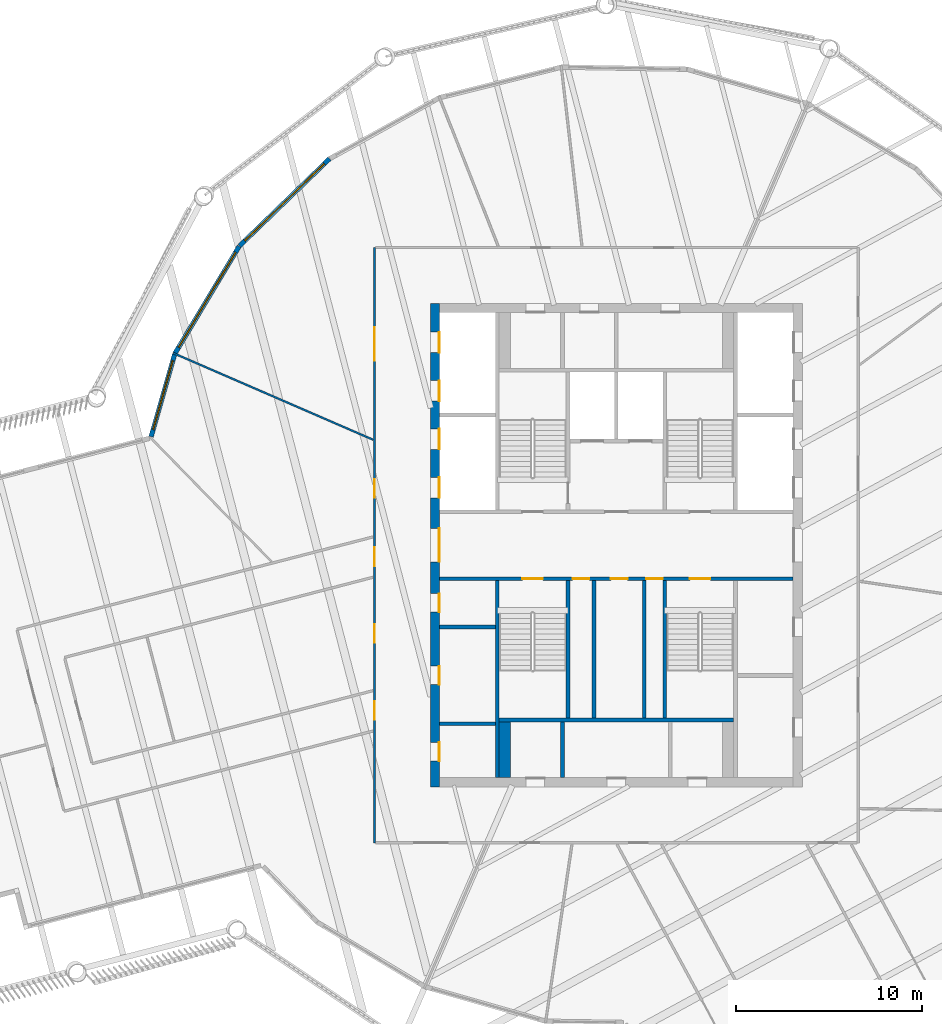
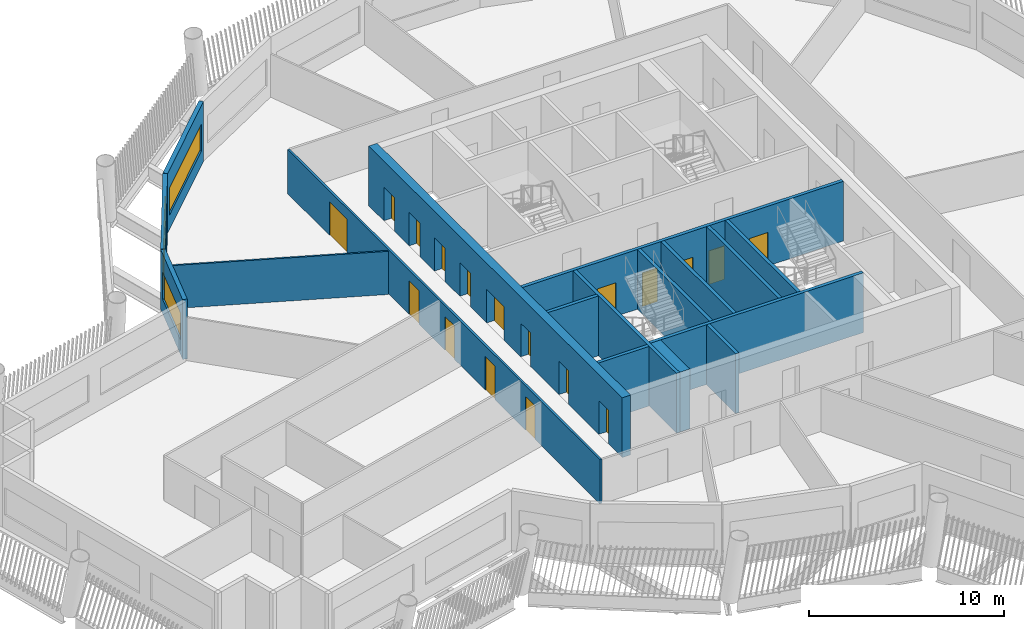
# One storey, part 4 of 14: 18 doors, 17 walls, 3 windows, 21 openings.
"""IFC4 building model written with IfcOpenShell, lengths in metres."""

from ifc_helpers import new_model, si_unit, direction, frame, frame_2d, origin, place, context, subcontext, project, spatial, rectangle, extrude, material, layer, layer_set, type_object, element, fill, save


model = new_model("IFC4")

# Units and contexts
model_context = context("Model", 3, precision=1e-05, world=origin(), true_north=direction((0.0, 1.0)))
body_context = subcontext(model_context, "Body", "Model", "MODEL_VIEW")
ifc_project = project(units=[si_unit("LENGTHUNIT", "METRE"), si_unit("AREAUNIT", "SQUARE_METRE"), si_unit("VOLUMEUNIT", "CUBIC_METRE"), si_unit("PLANEANGLEUNIT", "RADIAN"), si_unit("MASSUNIT", "GRAM", prefix="KILO")], contexts=[model_context])

# Site, building, storey
site_placement = place(None, origin())
site = spatial("IfcSite", under=ifc_project, at=site_placement, CompositionType="ELEMENT")
building_placement = place(site_placement, origin())
building = spatial("IfcBuilding", under=site, at=building_placement, Name="Tarsis Ring Headquarters", CompositionType="ELEMENT")
storey_placement = place(building_placement, frame((0.0, 0.0, 343.10009765625)))
storey = spatial("IfcBuildingStorey", under=building, at=storey_placement, Name="L81", CompositionType="ELEMENT", Elevation=343.10009765625)

# Walls
ifc_material_1 = material(Name="Blockwork", Category="masonry")
ifc_layer_1 = layer(ifc_material_1, 0.199951171875)
ifc_layer_set_1 = layer_set([ifc_layer_1], Name="Core blockwork wall 200")
wall_type_1 = type_object("IfcWallType", Name="Core blockwork wall 200", PredefinedType="PARTITIONING", material=ifc_layer_set_1)
for number, where, z_axis, x_axis, name in (
    (1, (-9.5, -9.60009765625, 0.0), (0.0, 0.0, 1.0), (1.0, 0.0, 0.0), "Core partition WD1"),
    (2, (-9.5, -4.39990234375, 0.0), (0.0, 0.0, 1.0), (1.0, 0.0, 0.0), "Core partition WD3"),
    (3, (-2.89990234375, -12.5, 0.0), (0.0, 0.0, 1.0), (0.0, 1.0, 0.0), "Core partition SD1"),
):
    element("IfcWall", number, at=place(storey_placement, frame(where, z_axis=z_axis, x_axis=x_axis)), inside=storey, type_object=wall_type_1, Name=name, PredefinedType="PARTITIONING", context=body_context, shape_type="SweptSolid", body=[
        extrude(rectangle(XDim=3.0, YDim=0.199951171875, at=frame_2d((1.5, 0.0))), origin(), (0.0, 0.0, 1.0), 3.739990234375),
    ])
for number, where, z_axis, x_axis, name in (
    (4, (-1.199951171875, -9.300048828125, 0.0), (0.0, 0.0, 1.0), (0.0, 1.0, 0.0), "Core partition SV1"),
    (5, (1.5, -9.300048828125, 0.0), (0.0, 0.0, 1.0), (0.0, 1.0, 0.0), "Core partition SV2"),
):
    element("IfcWall", number, at=place(storey_placement, frame(where, z_axis=z_axis, x_axis=x_axis)), inside=storey, type_object=wall_type_1, Name=name, PredefinedType="PARTITIONING", context=body_context, shape_type="SweptSolid", body=[
        extrude(rectangle(XDim=7.400146484375, YDim=0.199951171875, at=frame_2d((3.7001953125, 0.0))), origin(), (0.0, 0.0, 1.0), 3.739990234375),
    ])

# Wall, openings, doors
ifc_material_2 = material(Name="Concrete C50/60", Category="concrete")
ifc_layer_2 = layer(ifc_material_2, 0.5)
ifc_layer_set_2 = layer_set([ifc_layer_2], Name="Core wall 500 C50/60")
wall_type_2 = type_object("IfcWallType", Name="Core wall 500 C50/60", PredefinedType="SHEAR", material=ifc_layer_set_2)
wall_1_placement = place(storey_placement, frame((-9.75, -13.0, 0.0), z_axis=(0.0, 0.0, 1.0), x_axis=(0.0, 1.0, 0.0)))
wall_1 = element("IfcWall", 6, at=wall_1_placement, inside=storey, type_object=wall_type_2, Name="Core wall OW", PredefinedType="SHEAR", context=body_context, shape_type="SweptSolid", body=[
    extrude(rectangle(XDim=26.0, YDim=0.5, at=frame_2d((13.0, 0.0))), origin(), (0.0, 0.0, 1.0), 3.739990234375),
])
opening_1_placement = place(wall_1_placement, frame((1.39990234375, 0.0, 0.0)))
opening_1 = element("IfcOpeningElement", 7, at=opening_1_placement, cuts=wall_1, Name="Opening L81-C01", PredefinedType="OPENING", context=body_context, shape_type="SweptSolid", body=[
    extrude(rectangle(XDim=1.0, YDim=2.10009765625, at=frame_2d((0.5, 1.050048828125))), frame((0.0, 0.260009765625, 0.0), z_axis=(0.0, -1.0, 0.0), x_axis=(1.0, 0.0, 0.0)), (0.0, 0.0, 1.0), 0.52001953125),
])
opening_2_placement = place(wall_1_placement, frame((5.5, 0.0, 0.0)))
opening_2 = element("IfcOpeningElement", 8, at=opening_2_placement, cuts=wall_1, Name="Opening L81-C02", PredefinedType="OPENING", context=body_context, shape_type="SweptSolid", body=[
    extrude(rectangle(XDim=1.0, YDim=2.10009765625, at=frame_2d((0.5, 1.050048828125))), frame((0.0, 0.260009765625, 0.0), z_axis=(0.0, -1.0, 0.0), x_axis=(1.0, 0.0, 0.0)), (0.0, 0.0, 1.0), 0.52001953125),
])
opening_3_placement = place(wall_1_placement, frame((9.39990234375, 0.0, 0.0)))
opening_3 = element("IfcOpeningElement", 9, at=opening_3_placement, cuts=wall_1, Name="Opening L81-C03", PredefinedType="OPENING", context=body_context, shape_type="SweptSolid", body=[
    extrude(rectangle(XDim=1.0, YDim=2.10009765625, at=frame_2d((0.5, 1.050048828125))), frame((0.0, 0.260009765625, 0.0), z_axis=(0.0, -1.0, 0.0), x_axis=(1.0, 0.0, 0.0)), (0.0, 0.0, 1.0), 0.52001953125),
])
opening_4_placement = place(wall_1_placement, frame((12.10009765625, 0.0, 0.0)))
opening_4 = element("IfcOpeningElement", 10, at=opening_4_placement, cuts=wall_1, Name="Opening L81-C04", PredefinedType="OPENING", context=body_context, shape_type="SweptSolid", body=[
    extrude(rectangle(XDim=1.800048828125, YDim=2.10009765625, at=frame_2d((0.89990234375, 1.050048828125))), frame((0.0, 0.260009765625, 0.0), z_axis=(0.0, -1.0, 0.0), x_axis=(1.0, 0.0, 0.0)), (0.0, 0.0, 1.0), 0.52001953125),
])
opening_5_placement = place(wall_1_placement, frame((15.550048828125, 0.0, 0.0)))
opening_5 = element("IfcOpeningElement", 11, at=opening_5_placement, cuts=wall_1, Name="Opening LD-HR1", PredefinedType="OPENING", context=body_context, shape_type="SweptSolid", body=[
    extrude(rectangle(XDim=1.10009765625, YDim=2.10009765625, at=frame_2d((0.550048828125, 1.050048828125))), frame((0.0, 0.260009765625, 0.0), z_axis=(0.0, -1.0, 0.0), x_axis=(1.0, 0.0, 0.0)), (0.0, 0.0, 1.0), 0.52001953125),
])
opening_6_placement = place(wall_1_placement, frame((18.14990234375, 0.0, 0.0)))
opening_6 = element("IfcOpeningElement", 12, at=opening_6_placement, cuts=wall_1, Name="Opening LD-HR2", PredefinedType="OPENING", context=body_context, shape_type="SweptSolid", body=[
    extrude(rectangle(XDim=1.10009765625, YDim=2.10009765625, at=frame_2d((0.550048828125, 1.050048828125))), frame((0.0, 0.260009765625, 0.0), z_axis=(0.0, -1.0, 0.0), x_axis=(1.0, 0.0, 0.0)), (0.0, 0.0, 1.0), 0.52001953125),
])
opening_7_placement = place(wall_1_placement, frame((20.75, 0.0, 0.0)))
opening_7 = element("IfcOpeningElement", 13, at=opening_7_placement, cuts=wall_1, Name="Opening LD-HR3", PredefinedType="OPENING", context=body_context, shape_type="SweptSolid", body=[
    extrude(rectangle(XDim=1.10009765625, YDim=2.10009765625, at=frame_2d((0.550048828125, 1.050048828125))), frame((0.0, 0.260009765625, 0.0), z_axis=(0.0, -1.0, 0.0), x_axis=(1.0, 0.0, 0.0)), (0.0, 0.0, 1.0), 0.52001953125),
])
opening_8_placement = place(wall_1_placement, frame((23.35009765625, 0.0, 0.0)))
opening_8 = element("IfcOpeningElement", 14, at=opening_8_placement, cuts=wall_1, Name="Opening LD-HR4", PredefinedType="OPENING", context=body_context, shape_type="SweptSolid", body=[
    extrude(rectangle(XDim=1.10009765625, YDim=2.10009765625, at=frame_2d((0.550048828125, 1.050048828125))), frame((0.0, 0.260009765625, 0.0), z_axis=(0.0, -1.0, 0.0), x_axis=(1.0, 0.0, 0.0)), (0.0, 0.0, 1.0), 0.52001953125),
])
ifc_material_3 = material(Name="Steel S355", Category="steel")
door_type_1 = type_object("IfcDoorType", Name="Core entry door 1800x2100", OperationType="DOUBLE_DOOR_SINGLE_SWING", PredefinedType="DOOR", material=ifc_material_3)
door_1_placement = place(opening_4_placement, origin())
door_1 = element("IfcDoor", 15, at=door_1_placement, inside=storey, type_object=door_type_1, Name="Core entry door L81", OperationType="DOUBLE_DOOR_SINGLE_SWING", OverallHeight=2.10009765625, OverallWidth=1.800048828125, PredefinedType="DOOR", context=body_context, shape_type="SweptSolid", body=[
    extrude(rectangle(XDim=1.800048828125, YDim=2.10009765625, at=frame_2d((0.89990234375, 1.050048828125))), frame((0.0, -0.2001953125, 0.0), z_axis=(0.0, -1.0, 0.0), x_axis=(1.0, 0.0, 0.0)), (0.0, 0.0, 1.0), 0.050048828125),
])
fill(opening_4, door_1)
door_type_2 = type_object("IfcDoorType", Name="Core room door 1000x2100", OperationType="SINGLE_SWING_LEFT", PredefinedType="DOOR", material=ifc_material_3)
door_2_placement = place(opening_1_placement, origin())
door_2 = element("IfcDoor", 16, at=door_2_placement, inside=storey, type_object=door_type_2, Name="Core room door L81", OperationType="SINGLE_SWING_LEFT", OverallHeight=2.10009765625, OverallWidth=1.0, PredefinedType="DOOR", context=body_context, shape_type="SweptSolid", body=[
    extrude(rectangle(XDim=1.0, YDim=2.10009765625, at=frame_2d((0.5, 1.050048828125))), frame((0.0, -0.2001953125, 0.0), z_axis=(0.0, -1.0, 0.0), x_axis=(1.0, 0.0, 0.0)), (0.0, 0.0, 1.0), 0.050048828125),
])
fill(opening_1, door_2)
door_3_placement = place(opening_2_placement, origin())
door_3 = element("IfcDoor", 17, at=door_3_placement, inside=storey, type_object=door_type_2, Name="Core room door L81", OperationType="SINGLE_SWING_LEFT", OverallHeight=2.10009765625, OverallWidth=1.0, PredefinedType="DOOR", context=body_context, shape_type="SweptSolid", body=[
    extrude(rectangle(XDim=1.0, YDim=2.10009765625, at=frame_2d((0.5, 1.050048828125))), frame((0.0, -0.2001953125, 0.0), z_axis=(0.0, -1.0, 0.0), x_axis=(1.0, 0.0, 0.0)), (0.0, 0.0, 1.0), 0.050048828125),
])
fill(opening_2, door_3)
door_4_placement = place(opening_3_placement, origin())
door_4 = element("IfcDoor", 18, at=door_4_placement, inside=storey, type_object=door_type_2, Name="Core room door L81", OperationType="SINGLE_SWING_LEFT", OverallHeight=2.10009765625, OverallWidth=1.0, PredefinedType="DOOR", context=body_context, shape_type="SweptSolid", body=[
    extrude(rectangle(XDim=1.0, YDim=2.10009765625, at=frame_2d((0.5, 1.050048828125))), frame((0.0, -0.2001953125, 0.0), z_axis=(0.0, -1.0, 0.0), x_axis=(1.0, 0.0, 0.0)), (0.0, 0.0, 1.0), 0.050048828125),
])
fill(opening_3, door_4)
door_type_3 = type_object("IfcDoorType", Name="Landing door 1100x2100", OperationType="SLIDING_TO_LEFT", PredefinedType="DOOR", material=ifc_material_3)
door_5_placement = place(opening_5_placement, origin())
door_5 = element("IfcDoor", 19, at=door_5_placement, inside=storey, type_object=door_type_3, Name="Landing door HR1 L81", OperationType="SLIDING_TO_LEFT", OverallHeight=2.10009765625, OverallWidth=1.10009765625, PredefinedType="DOOR", context=body_context, shape_type="SweptSolid", body=[
    extrude(rectangle(XDim=1.10009765625, YDim=2.10009765625, at=frame_2d((0.550048828125, 1.050048828125))), frame((0.0, -0.2001953125, 0.0), z_axis=(0.0, -1.0, 0.0), x_axis=(1.0, 0.0, 0.0)), (0.0, 0.0, 1.0), 0.050048828125),
])
fill(opening_5, door_5)
door_6_placement = place(opening_6_placement, origin())
door_6 = element("IfcDoor", 20, at=door_6_placement, inside=storey, type_object=door_type_3, Name="Landing door HR2 L81", OperationType="SLIDING_TO_LEFT", OverallHeight=2.10009765625, OverallWidth=1.10009765625, PredefinedType="DOOR", context=body_context, shape_type="SweptSolid", body=[
    extrude(rectangle(XDim=1.10009765625, YDim=2.10009765625, at=frame_2d((0.550048828125, 1.050048828125))), frame((0.0, -0.2001953125, 0.0), z_axis=(0.0, -1.0, 0.0), x_axis=(1.0, 0.0, 0.0)), (0.0, 0.0, 1.0), 0.050048828125),
])
fill(opening_6, door_6)
door_7_placement = place(opening_7_placement, origin())
door_7 = element("IfcDoor", 21, at=door_7_placement, inside=storey, type_object=door_type_3, Name="Landing door HR3 L81", OperationType="SLIDING_TO_LEFT", OverallHeight=2.10009765625, OverallWidth=1.10009765625, PredefinedType="DOOR", context=body_context, shape_type="SweptSolid", body=[
    extrude(rectangle(XDim=1.10009765625, YDim=2.10009765625, at=frame_2d((0.550048828125, 1.050048828125))), frame((0.0, -0.2001953125, 0.0), z_axis=(0.0, -1.0, 0.0), x_axis=(1.0, 0.0, 0.0)), (0.0, 0.0, 1.0), 0.050048828125),
])
fill(opening_7, door_7)
door_8_placement = place(opening_8_placement, origin())
door_8 = element("IfcDoor", 22, at=door_8_placement, inside=storey, type_object=door_type_3, Name="Landing door HR4 L81", OperationType="SLIDING_TO_LEFT", OverallHeight=2.10009765625, OverallWidth=1.10009765625, PredefinedType="DOOR", context=body_context, shape_type="SweptSolid", body=[
    extrude(rectangle(XDim=1.10009765625, YDim=2.10009765625, at=frame_2d((0.550048828125, 1.050048828125))), frame((0.0, -0.2001953125, 0.0), z_axis=(0.0, -1.0, 0.0), x_axis=(1.0, 0.0, 0.0)), (0.0, 0.0, 1.0), 0.050048828125),
])
fill(opening_8, door_8)

# Wall
ifc_material_4 = material(Name="Gypsum board on steel studs", Category="steel")
ifc_layer_3 = layer(ifc_material_4, 0.10009765625)
ifc_layer_set_3 = layer_set([ifc_layer_3], Name="FL partition 100 unrated")
wall_type_3 = type_object("IfcWallType", Name="FL partition 100 unrated", PredefinedType="PARTITIONING", material=ifc_layer_set_3)
wall_2_placement = place(storey_placement, frame((-23.806640625, 10.32177734375, 0.0), z_axis=(0.0, 0.0, 1.0), x_axis=(0.91747667875, -0.397789572451, 0.0)))
element("IfcWall", 23, at=wall_2_placement, inside=storey, type_object=wall_type_3, Name="Partition PW3", PredefinedType="PARTITIONING", context=body_context, shape_type="SweptSolid", body=[
    extrude(rectangle(XDim=11.698486328125, YDim=0.10009765625, at=frame_2d((5.84912109375, 0.0))), origin(), (0.0, 0.0, 1.0), 2.699951171875),
])

# Wall, openings, doors
ifc_layer_4 = layer(ifc_material_4, 0.125)
ifc_layer_set_4 = layer_set([ifc_layer_4], Name="FL partition 125 EI 60 H2770")
wall_type_4 = type_object("IfcWallType", Name="FL partition 125 EI 60 H2770", PredefinedType="PARTITIONING", material=ifc_layer_set_4)
wall_3_placement = place(storey_placement, frame((-13.0, -16.0, 0.0), z_axis=(0.0, 0.0, 1.0), x_axis=(0.0, 1.0, 0.0)))
wall_3 = element("IfcWall", 24, at=wall_3_placement, inside=storey, type_object=wall_type_4, Name="Partition PW1", PredefinedType="PARTITIONING", context=body_context, shape_type="SweptSolid", body=[
    extrude(rectangle(XDim=32.0, YDim=0.125, at=frame_2d((16.0, 0.0))), origin(), (0.0, 0.0, 1.0), 2.77001953125),
])
opening_9_placement = place(wall_3_placement, frame((18.551513671875, 0.0, 0.0)))
opening_9 = element("IfcOpeningElement", 25, at=opening_9_placement, cuts=wall_3, Name="Opening D81.03", PredefinedType="OPENING", context=body_context, shape_type="SweptSolid", body=[
    extrude(rectangle(XDim=1.0, YDim=2.10009765625, at=frame_2d((0.5, 1.050048828125))), frame((0.0, 0.072509765625, 0.0), z_axis=(0.0, -1.0, 0.0), x_axis=(1.0, 0.0, 0.0)), (0.0, 0.0, 1.0), 0.14501953125),
])
opening_10_placement = place(wall_3_placement, frame((25.918212890625, 0.0, 0.0)))
opening_10 = element("IfcOpeningElement", 26, at=opening_10_placement, cuts=wall_3, Name="Opening D81.04", PredefinedType="OPENING", context=body_context, shape_type="SweptSolid", body=[
    extrude(rectangle(XDim=1.800048828125, YDim=2.10009765625, at=frame_2d((0.89990234375, 1.050048828125))), frame((0.0, 0.072509765625, 0.0), z_axis=(0.0, -1.0, 0.0), x_axis=(1.0, 0.0, 0.0)), (0.0, 0.0, 1.0), 0.14501953125),
])
opening_11_placement = place(wall_3_placement, frame((10.749267578125, 0.0, 0.0)))
opening_11 = element("IfcOpeningElement", 27, at=opening_11_placement, cuts=wall_3, Name="Opening D81.14", PredefinedType="OPENING", context=body_context, shape_type="SweptSolid", body=[
    extrude(rectangle(XDim=1.0, YDim=2.10009765625, at=frame_2d((0.5, 1.050048828125))), frame((0.0, 0.072509765625, 0.0), z_axis=(0.0, -1.0, 0.0), x_axis=(1.0, 0.0, 0.0)), (0.0, 0.0, 1.0), 0.14501953125),
])
opening_12_placement = place(wall_3_placement, frame((6.61669921875, 0.0, 0.0)))
opening_12 = element("IfcOpeningElement", 28, at=opening_12_placement, cuts=wall_3, Name="Opening D81.19", PredefinedType="OPENING", context=body_context, shape_type="SweptSolid", body=[
    extrude(rectangle(XDim=1.0, YDim=2.10009765625, at=frame_2d((0.5, 1.050048828125))), frame((0.0, 0.072509765625, 0.0), z_axis=(0.0, -1.0, 0.0), x_axis=(1.0, 0.0, 0.0)), (0.0, 0.0, 1.0), 0.14501953125),
])
opening_13_placement = place(wall_3_placement, frame((14.882080078125, 0.0, 0.0)))
opening_13 = element("IfcOpeningElement", 29, at=opening_13_placement, cuts=wall_3, Name="Opening D81.20", PredefinedType="OPENING", context=body_context, shape_type="SweptSolid", body=[
    extrude(rectangle(XDim=1.0, YDim=2.10009765625, at=frame_2d((0.5, 1.050048828125))), frame((0.0, 0.072509765625, 0.0), z_axis=(0.0, -1.0, 0.0), x_axis=(1.0, 0.0, 0.0)), (0.0, 0.0, 1.0), 0.14501953125),
])
ifc_material_5 = material(Name="Fire-rated timber door leaf in steel frame", Category="steel")
door_type_4 = type_object("IfcDoorType", Name="FL door FD60-1000", OperationType="NOTDEFINED", PredefinedType="DOOR", material=ifc_material_5)
door_9_placement = place(opening_9_placement, origin())
door_9 = element("IfcDoor", 30, at=door_9_placement, inside=storey, type_object=door_type_4, Name="Door D81.03", OperationType="SINGLE_SWING_RIGHT", OverallHeight=2.10009765625, OverallWidth=1.0, PredefinedType="DOOR", context=body_context, shape_type="SweptSolid", body=[
    extrude(rectangle(XDim=1.0, YDim=2.10009765625, at=frame_2d((0.5, 1.050048828125))), frame((0.0, 0.02490234375, 0.0), z_axis=(0.0, -1.0, 0.0), x_axis=(1.0, 0.0, 0.0)), (0.0, 0.0, 1.0), 0.050048828125),
])
fill(opening_9, door_9)
door_10_placement = place(opening_11_placement, origin())
door_10 = element("IfcDoor", 31, at=door_10_placement, inside=storey, type_object=door_type_4, Name="Door D81.14", OperationType="SINGLE_SWING_LEFT", OverallHeight=2.10009765625, OverallWidth=1.0, PredefinedType="DOOR", context=body_context, shape_type="SweptSolid", body=[
    extrude(rectangle(XDim=1.0, YDim=2.10009765625, at=frame_2d((0.5, 1.050048828125))), frame((0.0, 0.02490234375, 0.0), z_axis=(0.0, -1.0, 0.0), x_axis=(1.0, 0.0, 0.0)), (0.0, 0.0, 1.0), 0.050048828125),
])
fill(opening_11, door_10)
door_11_placement = place(opening_12_placement, origin())
door_11 = element("IfcDoor", 32, at=door_11_placement, inside=storey, type_object=door_type_4, Name="Door D81.19", OperationType="SINGLE_SWING_RIGHT", OverallHeight=2.10009765625, OverallWidth=1.0, PredefinedType="DOOR", context=body_context, shape_type="SweptSolid", body=[
    extrude(rectangle(XDim=1.0, YDim=2.10009765625, at=frame_2d((0.5, 1.050048828125))), frame((0.0, 0.02490234375, 0.0), z_axis=(0.0, -1.0, 0.0), x_axis=(1.0, 0.0, 0.0)), (0.0, 0.0, 1.0), 0.050048828125),
])
fill(opening_12, door_11)
door_12_placement = place(opening_13_placement, origin())
door_12 = element("IfcDoor", 33, at=door_12_placement, inside=storey, type_object=door_type_4, Name="Door D81.20", OperationType="SINGLE_SWING_LEFT", OverallHeight=2.10009765625, OverallWidth=1.0, PredefinedType="DOOR", context=body_context, shape_type="SweptSolid", body=[
    extrude(rectangle(XDim=1.0, YDim=2.10009765625, at=frame_2d((0.5, 1.050048828125))), frame((0.0, 0.02490234375, 0.0), z_axis=(0.0, -1.0, 0.0), x_axis=(1.0, 0.0, 0.0)), (0.0, 0.0, 1.0), 0.050048828125),
])
fill(opening_13, door_12)
door_type_5 = type_object("IfcDoorType", Name="FL door FD60-1800", OperationType="DOUBLE_DOOR_SINGLE_SWING", PredefinedType="DOOR", material=ifc_material_5)
door_13_placement = place(opening_10_placement, origin())
door_13 = element("IfcDoor", 34, at=door_13_placement, inside=storey, type_object=door_type_5, Name="Door D81.04", OperationType="DOUBLE_DOOR_SINGLE_SWING", OverallHeight=2.10009765625, OverallWidth=1.800048828125, PredefinedType="DOOR", context=body_context, shape_type="SweptSolid", body=[
    extrude(rectangle(XDim=1.800048828125, YDim=2.10009765625, at=frame_2d((0.89990234375, 1.050048828125))), frame((0.0, 0.02490234375, 0.0), z_axis=(0.0, -1.0, 0.0), x_axis=(1.0, 0.0, 0.0)), (0.0, 0.0, 1.0), 0.050048828125),
])
fill(opening_10, door_13)

# Wall, opening, window
ifc_material_6 = material(Name="Terracotta clad insulated panel wall", Category="masonry")
ifc_layer_5 = layer(ifc_material_6, 0.25)
ifc_layer_set_5 = layer_set([ifc_layer_5], Name="Facade wall terracotta panel 250")
wall_type_5 = type_object("IfcWallType", Name="Facade wall terracotta panel 250", PredefinedType="STANDARD", material=ifc_layer_set_5)
wall_4_placement = place(storey_placement, frame((-15.424072265625, 20.771240234375, 0.0), z_axis=(0.0, 0.0, 1.0), x_axis=(-0.71861678016, -0.695406300858, 0.0)))
wall_4 = element("IfcWall", 35, at=wall_4_placement, inside=storey, type_object=wall_type_5, Name="External wall L81-28", PredefinedType="STANDARD", context=body_context, shape_type="SweptSolid", body=[
    extrude(rectangle(XDim=6.721435546875, YDim=0.25, at=frame_2d((3.36083984375, 0.0))), origin(), (0.0, 0.0, 1.0), 3.739990234375),
])
opening_14_placement = place(wall_4_placement, frame((0.3857421875, 0.0, 0.89990234375)))
opening_14 = element("IfcOpeningElement", 36, at=opening_14_placement, cuts=wall_4, Name="Opening WN07", PredefinedType="OPENING", context=body_context, shape_type="SweptSolid", body=[
    extrude(rectangle(XDim=5.949951171875, YDim=1.699951171875, at=frame_2d((2.97509765625, 0.85009765625))), frame((0.0, 0.135009765625, 0.0), z_axis=(0.0, -1.0, 0.0), x_axis=(1.0, 0.0, 0.0)), (0.0, 0.0, 1.0), 0.27001953125),
])
ifc_material_7 = material(Name="Aluminium framed double glazing", Category="aluminium")
window_type_1 = type_object("IfcWindowType", Name="Facade window 5950 x 1700", PartitioningType="SINGLE_PANEL", PredefinedType="WINDOW", material=ifc_material_7)
window_1_placement = place(opening_14_placement, origin())
window_1 = element("IfcWindow", 37, at=window_1_placement, inside=storey, type_object=window_type_1, Name="Window L81-28.1", OverallHeight=1.699951171875, OverallWidth=5.949951171875, PartitioningType="SINGLE_PANEL", PredefinedType="WINDOW", context=body_context, shape_type="SweptSolid", body=[
    extrude(rectangle(XDim=5.949951171875, YDim=1.699951171875, at=frame_2d((2.97509765625, 0.85009765625))), frame((0.0, 0.030029296875, 0.0), z_axis=(0.0, -1.0, 0.0), x_axis=(1.0, 0.0, 0.0)), (0.0, 0.0, 1.0), 0.06005859375),
])
fill(opening_14, window_1)

wall_5_placement = place(storey_placement, frame((-20.2744140625, 16.071533203125, 0.0), z_axis=(0.0, 0.0, 1.0), x_axis=(-0.514137832144, -0.857707578117, 0.0)))
wall_5 = element("IfcWall", 38, at=wall_5_placement, inside=storey, type_object=wall_type_5, Name="External wall L81-29", PredefinedType="STANDARD", context=body_context, shape_type="SweptSolid", body=[
    extrude(rectangle(XDim=6.7216796875, YDim=0.25, at=frame_2d((3.36083984375, 0.0))), origin(), (0.0, 0.0, 1.0), 3.739990234375),
])
opening_15_placement = place(wall_5_placement, frame((0.3857421875, 0.0, 0.89990234375)))
opening_15 = element("IfcOpeningElement", 39, at=opening_15_placement, cuts=wall_5, Name="Opening WN07", PredefinedType="OPENING", context=body_context, shape_type="SweptSolid", body=[
    extrude(rectangle(XDim=5.949951171875, YDim=1.699951171875, at=frame_2d((2.97509765625, 0.85009765625))), frame((0.0, 0.135009765625, 0.0), z_axis=(0.0, -1.0, 0.0), x_axis=(1.0, 0.0, 0.0)), (0.0, 0.0, 1.0), 0.27001953125),
])
window_2_placement = place(opening_15_placement, origin())
window_2 = element("IfcWindow", 40, at=window_2_placement, inside=storey, type_object=window_type_1, Name="Window L81-29.1", OverallHeight=1.699951171875, OverallWidth=5.949951171875, PartitioningType="SINGLE_PANEL", PredefinedType="WINDOW", context=body_context, shape_type="SweptSolid", body=[
    extrude(rectangle(XDim=5.949951171875, YDim=1.699951171875, at=frame_2d((2.97509765625, 0.85009765625))), frame((0.0, 0.030029296875, 0.0), z_axis=(0.0, -1.0, 0.0), x_axis=(1.0, 0.0, 0.0)), (0.0, 0.0, 1.0), 0.06005859375),
])
fill(opening_15, window_2)

wall_6_placement = place(storey_placement, frame((-23.7431640625, 10.276611328125, 0.0), z_axis=(0.0, 0.0, 1.0), x_axis=(-0.274644320176, -0.961545889386, 0.0)))
wall_6 = element("IfcWall", 41, at=wall_6_placement, inside=storey, type_object=wall_type_5, Name="External wall L81-30", PredefinedType="STANDARD", context=body_context, shape_type="SweptSolid", body=[
    extrude(rectangle(XDim=4.617919921875, YDim=0.25, at=frame_2d((2.30908203125, 0.0))), origin(), (0.0, 0.0, 1.0), 3.739990234375),
])
opening_16_placement = place(wall_6_placement, frame((0.367431640625, 0.0, 0.89990234375)))
opening_16 = element("IfcOpeningElement", 42, at=opening_16_placement, cuts=wall_6, Name="Opening WN02", PredefinedType="OPENING", context=body_context, shape_type="SweptSolid", body=[
    extrude(rectangle(XDim=3.85009765625, YDim=1.699951171875, at=frame_2d((1.925048828125, 0.85009765625))), frame((0.0, 0.135009765625, 0.0), z_axis=(0.0, -1.0, 0.0), x_axis=(1.0, 0.0, 0.0)), (0.0, 0.0, 1.0), 0.27001953125),
])
window_type_2 = type_object("IfcWindowType", Name="Facade window 3850 x 1700", PartitioningType="SINGLE_PANEL", PredefinedType="WINDOW", material=ifc_material_7)
window_3_placement = place(opening_16_placement, origin())
window_3 = element("IfcWindow", 43, at=window_3_placement, inside=storey, type_object=window_type_2, Name="Window L81-30.1", OverallHeight=1.699951171875, OverallWidth=3.85009765625, PartitioningType="SINGLE_PANEL", PredefinedType="WINDOW", context=body_context, shape_type="SweptSolid", body=[
    extrude(rectangle(XDim=3.85009765625, YDim=1.699951171875, at=frame_2d((1.925048828125, 0.85009765625))), frame((0.0, 0.030029296875, 0.0), z_axis=(0.0, -1.0, 0.0), x_axis=(1.0, 0.0, 0.0)), (0.0, 0.0, 1.0), 0.06005859375),
])
fill(opening_16, window_3)

# Wall
ifc_material_8 = material(Name="Concrete C32/40", Category="concrete")
ifc_layer_6 = layer(ifc_material_8, 0.60009765625)
ifc_layer_set_6 = layer_set([ifc_layer_6], Name="Shaft end wall 600 C32/40")
wall_type_6 = type_object("IfcWallType", Name="Shaft end wall 600 C32/40", PredefinedType="SOLIDWALL", material=ifc_layer_set_6)
wall_7_placement = place(storey_placement, frame((-6.0, -12.5, 0.0), z_axis=(0.0, 0.0, 1.0), x_axis=(0.0, 1.0, 0.0)))
element("IfcWall", 44, at=wall_7_placement, inside=storey, type_object=wall_type_6, Name="Core shaft wall SNE1", PredefinedType="SOLIDWALL", context=body_context, shape_type="SweptSolid", body=[
    extrude(rectangle(XDim=3.0, YDim=0.60009765625, at=frame_2d((1.5, 0.0))), origin(), (0.0, 0.0, 1.0), 3.739990234375),
])

# Wall, openings, doors
ifc_layer_7 = layer(ifc_material_8, 0.199951171875)
ifc_layer_set_7 = layer_set([ifc_layer_7], Name="Shaft wall 200 C32/40")
wall_type_7 = type_object("IfcWallType", Name="Shaft wall 200 C32/40", PredefinedType="SOLIDWALL", material=ifc_layer_set_7)
wall_8_placement = place(storey_placement, frame((-9.5, -1.800048828125, 0.0), z_axis=(0.0, 0.0, 1.0), x_axis=(1.0, 0.0, 0.0)))
wall_8 = element("IfcWall", 45, at=wall_8_placement, inside=storey, type_object=wall_type_7, Name="Core shaft wall CS", PredefinedType="SOLIDWALL", context=body_context, shape_type="SweptSolid", body=[
    extrude(rectangle(XDim=19.0, YDim=0.199951171875, at=frame_2d((9.5, 0.0))), origin(), (0.0, 0.0, 1.0), 3.739990234375),
])
opening_17_placement = place(wall_8_placement, frame((4.449951171875, 0.0, 0.0)))
opening_17 = element("IfcOpeningElement", 46, at=opening_17_placement, cuts=wall_8, Name="Opening L81-C25", PredefinedType="OPENING", context=body_context, shape_type="SweptSolid", body=[
    extrude(rectangle(XDim=1.10009765625, YDim=2.10009765625, at=frame_2d((0.550048828125, 1.050048828125))), frame((0.0, 0.10986328125, 0.0), z_axis=(0.0, -1.0, 0.0), x_axis=(1.0, 0.0, 0.0)), (0.0, 0.0, 1.0), 0.219970703125),
])
opening_18_placement = place(wall_8_placement, frame((7.14990234375, 0.0, 0.0)))
opening_18 = element("IfcOpeningElement", 47, at=opening_18_placement, cuts=wall_8, Name="Opening L81-C26", PredefinedType="OPENING", context=body_context, shape_type="SweptSolid", body=[
    extrude(rectangle(XDim=0.89990234375, YDim=2.10009765625, at=frame_2d((0.449951171875, 1.050048828125))), frame((0.0, 0.10986328125, 0.0), z_axis=(0.0, -1.0, 0.0), x_axis=(1.0, 0.0, 0.0)), (0.0, 0.0, 1.0), 0.219970703125),
])
opening_19_placement = place(wall_8_placement, frame((9.199951171875, 0.0, 0.0)))
opening_19 = element("IfcOpeningElement", 48, at=opening_19_placement, cuts=wall_8, Name="Opening L81-C27", PredefinedType="OPENING", context=body_context, shape_type="SweptSolid", body=[
    extrude(rectangle(XDim=0.89990234375, YDim=2.10009765625, at=frame_2d((0.449951171875, 1.050048828125))), frame((0.0, 0.10986328125, 0.0), z_axis=(0.0, -1.0, 0.0), x_axis=(1.0, 0.0, 0.0)), (0.0, 0.0, 1.0), 0.219970703125),
])
opening_20_placement = place(wall_8_placement, frame((11.10009765625, 0.0, 0.0)))
opening_20 = element("IfcOpeningElement", 49, at=opening_20_placement, cuts=wall_8, Name="Opening L81-C28", PredefinedType="OPENING", context=body_context, shape_type="SweptSolid", body=[
    extrude(rectangle(XDim=0.89990234375, YDim=2.10009765625, at=frame_2d((0.449951171875, 1.050048828125))), frame((0.0, 0.10986328125, 0.0), z_axis=(0.0, -1.0, 0.0), x_axis=(1.0, 0.0, 0.0)), (0.0, 0.0, 1.0), 0.219970703125),
])
opening_21_placement = place(wall_8_placement, frame((13.449951171875, 0.0, 0.0)))
opening_21 = element("IfcOpeningElement", 50, at=opening_21_placement, cuts=wall_8, Name="Opening L81-C29", PredefinedType="OPENING", context=body_context, shape_type="SweptSolid", body=[
    extrude(rectangle(XDim=1.10009765625, YDim=2.10009765625, at=frame_2d((0.550048828125, 1.050048828125))), frame((0.0, 0.10986328125, 0.0), z_axis=(0.0, -1.0, 0.0), x_axis=(1.0, 0.0, 0.0)), (0.0, 0.0, 1.0), 0.219970703125),
])
door_type_6 = type_object("IfcDoorType", Name="Stair door 1100x2100", OperationType="SINGLE_SWING_LEFT", PredefinedType="DOOR", material=ifc_material_3)
door_14_placement = place(opening_17_placement, origin())
door_14 = element("IfcDoor", 51, at=door_14_placement, inside=storey, type_object=door_type_6, Name="Stair door L81", OperationType="SINGLE_SWING_LEFT", OverallHeight=2.10009765625, OverallWidth=1.10009765625, PredefinedType="DOOR", context=body_context, shape_type="SweptSolid", body=[
    extrude(rectangle(XDim=1.10009765625, YDim=2.10009765625, at=frame_2d((0.550048828125, 1.050048828125))), frame((0.0, 0.02490234375, 0.0), z_axis=(0.0, -1.0, 0.0), x_axis=(1.0, 0.0, 0.0)), (0.0, 0.0, 1.0), 0.050048828125),
])
fill(opening_17, door_14)
door_15_placement = place(opening_21_placement, origin())
door_15 = element("IfcDoor", 52, at=door_15_placement, inside=storey, type_object=door_type_6, Name="Stair door L81", OperationType="SINGLE_SWING_LEFT", OverallHeight=2.10009765625, OverallWidth=1.10009765625, PredefinedType="DOOR", context=body_context, shape_type="SweptSolid", body=[
    extrude(rectangle(XDim=1.10009765625, YDim=2.10009765625, at=frame_2d((0.550048828125, 1.050048828125))), frame((0.0, 0.02490234375, 0.0), z_axis=(0.0, -1.0, 0.0), x_axis=(1.0, 0.0, 0.0)), (0.0, 0.0, 1.0), 0.050048828125),
])
fill(opening_21, door_15)
door_type_7 = type_object("IfcDoorType", Name="WC door 900x2100", OperationType="SINGLE_SWING_LEFT", PredefinedType="DOOR", material=ifc_material_3)
door_16_placement = place(opening_18_placement, origin())
door_16 = element("IfcDoor", 53, at=door_16_placement, inside=storey, type_object=door_type_7, Name="WC door L81", OperationType="SINGLE_SWING_LEFT", OverallHeight=2.10009765625, OverallWidth=0.89990234375, PredefinedType="DOOR", context=body_context, shape_type="SweptSolid", body=[
    extrude(rectangle(XDim=0.89990234375, YDim=2.10009765625, at=frame_2d((0.449951171875, 1.050048828125))), frame((0.0, 0.02490234375, 0.0), z_axis=(0.0, -1.0, 0.0), x_axis=(1.0, 0.0, 0.0)), (0.0, 0.0, 1.0), 0.050048828125),
])
fill(opening_18, door_16)
door_17_placement = place(opening_19_placement, origin())
door_17 = element("IfcDoor", 54, at=door_17_placement, inside=storey, type_object=door_type_7, Name="WC door L81", OperationType="SINGLE_SWING_LEFT", OverallHeight=2.10009765625, OverallWidth=0.89990234375, PredefinedType="DOOR", context=body_context, shape_type="SweptSolid", body=[
    extrude(rectangle(XDim=0.89990234375, YDim=2.10009765625, at=frame_2d((0.449951171875, 1.050048828125))), frame((0.0, 0.02490234375, 0.0), z_axis=(0.0, -1.0, 0.0), x_axis=(1.0, 0.0, 0.0)), (0.0, 0.0, 1.0), 0.050048828125),
])
fill(opening_19, door_17)
door_18_placement = place(opening_20_placement, origin())
door_18 = element("IfcDoor", 55, at=door_18_placement, inside=storey, type_object=door_type_7, Name="WC door L81", OperationType="SINGLE_SWING_LEFT", OverallHeight=2.10009765625, OverallWidth=0.89990234375, PredefinedType="DOOR", context=body_context, shape_type="SweptSolid", body=[
    extrude(rectangle(XDim=0.89990234375, YDim=2.10009765625, at=frame_2d((0.449951171875, 1.050048828125))), frame((0.0, 0.02490234375, 0.0), z_axis=(0.0, -1.0, 0.0), x_axis=(1.0, 0.0, 0.0)), (0.0, 0.0, 1.0), 0.050048828125),
])
fill(opening_20, door_18)

# Walls
wall_9_placement = place(storey_placement, frame((-6.39990234375, -12.5, 0.0), z_axis=(0.0, 0.0, 1.0), x_axis=(0.0, 1.0, 0.0)))
element("IfcWall", 56, at=wall_9_placement, inside=storey, type_object=wall_type_7, Name="Core shaft wall WB1", PredefinedType="SOLIDWALL", context=body_context, shape_type="SweptSolid", body=[
    extrude(rectangle(XDim=10.60009765625, YDim=0.199951171875, at=frame_2d((5.300048828125, 0.0))), origin(), (0.0, 0.0, 1.0), 3.739990234375),
])
wall_10_placement = place(storey_placement, frame((-6.300048828125, -9.39990234375, 0.0), z_axis=(0.0, 0.0, 1.0), x_axis=(1.0, 0.0, 0.0)))
element("IfcWall", 57, at=wall_10_placement, inside=storey, type_object=wall_type_7, Name="Core shaft wall SB", PredefinedType="SOLIDWALL", context=body_context, shape_type="SweptSolid", body=[
    extrude(rectangle(XDim=12.60009765625, YDim=0.199951171875, at=frame_2d((6.300048828125, 0.0))), origin(), (0.0, 0.0, 1.0), 3.739990234375),
])
for number, where, z_axis, x_axis, name in (
    (58, (-2.60009765625, -9.300048828125, 0.0), (0.0, 0.0, 1.0), (0.0, 1.0, 0.0), "Core shaft wall SW3"),
    (59, (2.60009765625, -9.300048828125, 0.0), (0.0, 0.0, 1.0), (0.0, 1.0, 0.0), "Core shaft wall SW4"),
):
    element("IfcWall", number, at=place(storey_placement, frame(where, z_axis=z_axis, x_axis=x_axis)), inside=storey, type_object=wall_type_7, Name=name, PredefinedType="SOLIDWALL", context=body_context, shape_type="SweptSolid", body=[
        extrude(rectangle(XDim=7.400146484375, YDim=0.199951171875, at=frame_2d((3.7001953125, 0.0))), origin(), (0.0, 0.0, 1.0), 3.739990234375),
    ])

save(model, "model.ifc")
